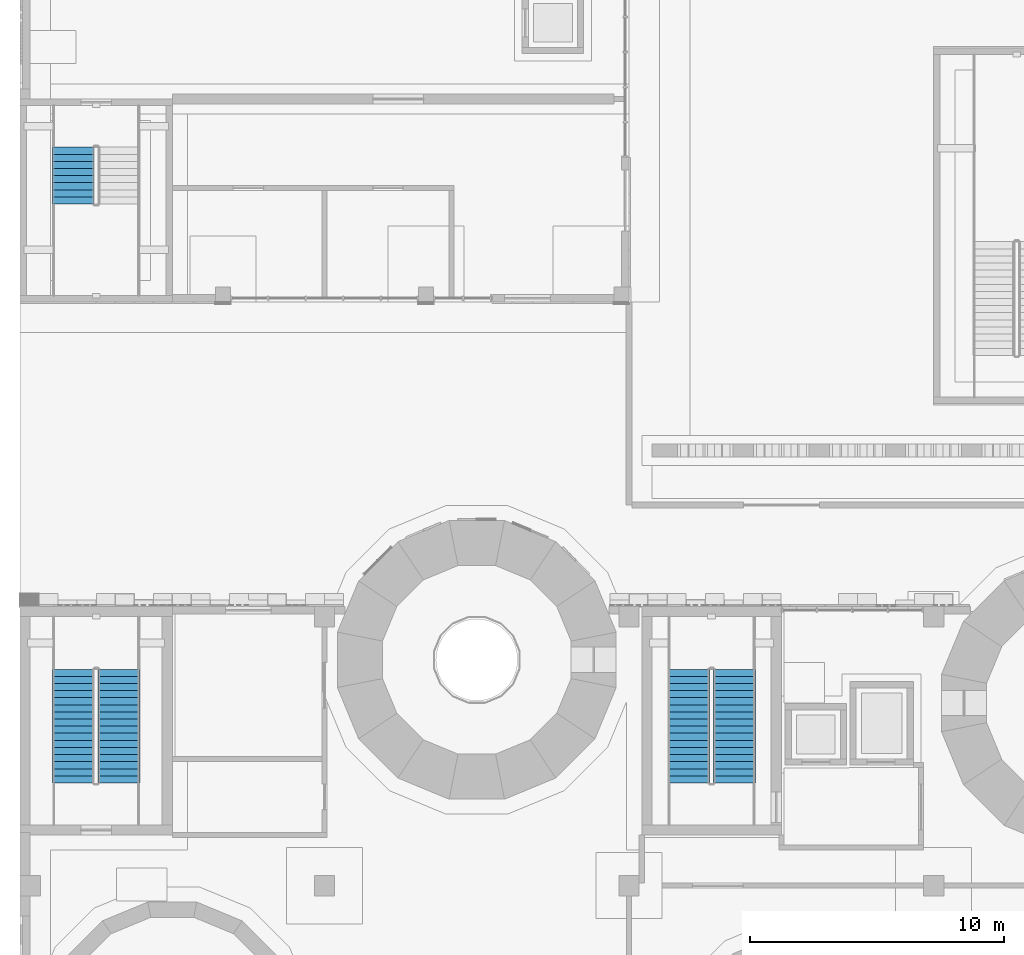
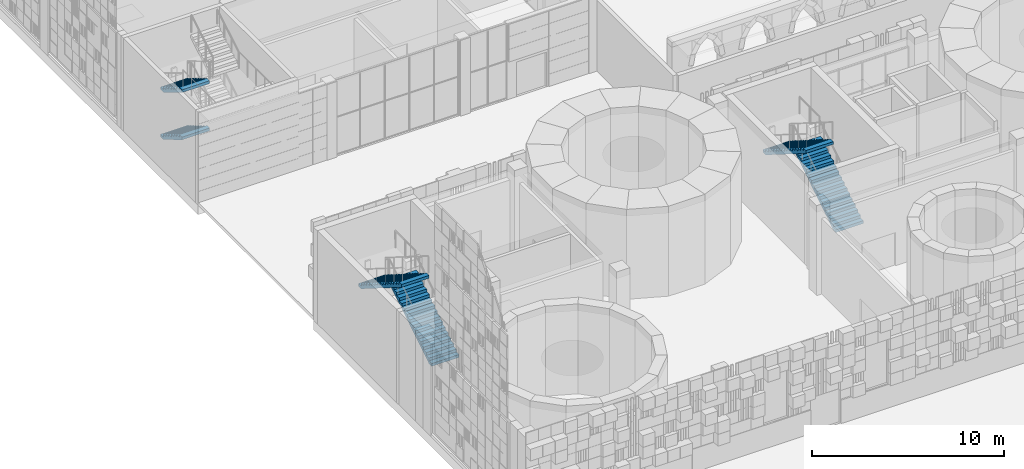
# One storey, part 60 of 125: 6 stair flights, 3 elements without a shape of their own.
"""IFC4 building model written with IfcOpenShell, lengths in metres."""

from ifc_helpers import new_model, si_unit, direction, frame, origin, place, context, subcontext, project, spatial, polyline, outline, extrude, material, type_object, element, aggregate, save


model = new_model("IFC4")

# Units and contexts
model_context = context("Model", 3, precision=1e-05, world=origin(), true_north=direction((0.0, 1.0)))
body_context = subcontext(model_context, "Body", "Model", "MODEL_VIEW")
ifc_project = project(units=[si_unit("LENGTHUNIT", "METRE"), si_unit("AREAUNIT", "SQUARE_METRE"), si_unit("VOLUMEUNIT", "CUBIC_METRE"), si_unit("PLANEANGLEUNIT", "RADIAN"), si_unit("MASSUNIT", "GRAM", prefix="KILO")], contexts=[model_context])

# Site, building, storey
site_placement = place(None, origin())
site = spatial("IfcSite", under=ifc_project, at=site_placement, CompositionType="ELEMENT")
building_placement = place(site_placement, origin())
building = spatial("IfcBuilding", under=site, at=building_placement, Name="Sun Court Science Centre", CompositionType="ELEMENT")
storey_placement = place(building_placement, origin())
storey = spatial("IfcBuildingStorey", under=building, at=storey_placement, Name="L00", CompositionType="ELEMENT", Elevation=0.0)

# Stair, stair flights
ifc_material_1 = material(Name="Concrete C25/30", Category="concrete")
stair_type = type_object("IfcStairType", Name="Stair 1500 enclosed half-turn", PredefinedType="HALF_TURN_STAIR", material=ifc_material_1)
stair_1_placement = place(storey_placement, origin())
stair_1 = element("IfcStair", 1, at=stair_1_placement, inside=storey, type_object=stair_type, Name="L00 Stair SB1", PredefinedType="HALF_TURN_STAIR")
ifc_material_2 = material(Name="Concrete C25/30", Category="concrete")
stair_flight_type = type_object("IfcStairFlightType", Name="Stair flight 1500 with waist", PredefinedType="STRAIGHT", material=ifc_material_2)
stair_flight_1_placement = place(storey_placement, frame((3.89892578125, 21.048095703125, 0.0), z_axis=(0.0, 0.0, 1.0), x_axis=(0.0, 1.0, 0.0)))
stair_flight_1 = element("IfcStairFlight", 2, at=stair_flight_1_placement, type_object=stair_flight_type, Name="SB1 flight 1", NumberOfRisers=17, NumberOfTreads=16, PredefinedType="STRAIGHT", RiserHeight=0.176470588, TreadLength=0.28, context=body_context, shape_type="SweptSolid", body=[
    extrude(outline(polyline([(0.0, 0.0), (0.0, 0.176513671875), (0.280029296875, 0.176513671875), (0.280029296875, 0.35302734375), (0.56005859375, 0.35302734375), (0.56005859375, 0.529296875), (0.840087890625, 0.529296875), (0.840087890625, 0.705810546875), (1.1201171875, 0.705810546875), (1.1201171875, 0.88232421875), (1.39990234375, 0.88232421875), (1.39990234375, 1.058837890625), (1.679931640625, 1.058837890625), (1.679931640625, 1.2353515625), (1.9599609375, 1.2353515625), (1.9599609375, 1.411865234375), (2.239990234375, 1.411865234375), (2.239990234375, 1.588134765625), (2.52001953125, 1.588134765625), (2.52001953125, 1.7646484375), (2.800048828125, 1.7646484375), (2.800048828125, 1.941162109375), (3.080078125, 1.941162109375), (3.080078125, 2.11767578125), (3.360107421875, 2.11767578125), (3.360107421875, 2.294189453125), (3.639892578125, 2.294189453125), (3.639892578125, 2.470703125), (3.919921875, 2.470703125), (3.919921875, 2.64697265625), (4.199951171875, 2.64697265625), (4.199951171875, 2.823486328125), (4.47998046875, 2.823486328125), (4.47998046875, 3.0), (4.47998046875, 2.646240234375), (0.28125, 0.0), (0.0, 0.0)])), frame((0.0, 0.823974609375, 0.0), z_axis=(0.0, -1.0, 0.0), x_axis=(1.0, 0.0, 0.0)), (0.0, 0.0, 1.0), 1.64794921875),
])
stair_flight_2_placement = place(storey_placement, frame((2.10107421875, 25.528076171875, 3.0), z_axis=(0.0, 0.0, 1.0), x_axis=(0.0, -1.0, 0.0)))
stair_flight_2 = element("IfcStairFlight", 3, at=stair_flight_2_placement, type_object=stair_flight_type, Name="SB1 flight 2", NumberOfRisers=17, NumberOfTreads=16, PredefinedType="STRAIGHT", RiserHeight=0.176470588, TreadLength=0.28, context=body_context, shape_type="SweptSolid", body=[
    extrude(outline(polyline([(0.0, 0.0), (0.0, 0.176513671875), (0.280029296875, 0.176513671875), (0.280029296875, 0.35302734375), (0.56005859375, 0.35302734375), (0.56005859375, 0.529296875), (0.840087890625, 0.529296875), (0.840087890625, 0.705810546875), (1.1201171875, 0.705810546875), (1.1201171875, 0.88232421875), (1.39990234375, 0.88232421875), (1.39990234375, 1.058837890625), (1.679931640625, 1.058837890625), (1.679931640625, 1.2353515625), (1.9599609375, 1.2353515625), (1.9599609375, 1.411865234375), (2.239990234375, 1.411865234375), (2.239990234375, 1.588134765625), (2.52001953125, 1.588134765625), (2.52001953125, 1.7646484375), (2.800048828125, 1.7646484375), (2.800048828125, 1.941162109375), (3.080078125, 1.941162109375), (3.080078125, 2.11767578125), (3.360107421875, 2.11767578125), (3.360107421875, 2.294189453125), (3.639892578125, 2.294189453125), (3.639892578125, 2.470703125), (3.919921875, 2.470703125), (3.919921875, 2.64697265625), (4.199951171875, 2.64697265625), (4.199951171875, 2.823486328125), (4.47998046875, 2.823486328125), (4.47998046875, 3.0), (4.47998046875, 2.646240234375), (0.28125, 0.0), (0.0, 0.0)])), frame((0.0, 0.823974609375, 0.0), z_axis=(0.0, -1.0, 0.0), x_axis=(1.0, 0.0, 0.0)), (0.0, 0.0, 1.0), 1.64794921875),
])
aggregate(stair_1, [stair_flight_1, stair_flight_2])

stair_2_placement = place(storey_placement, origin())
stair_2 = element("IfcStair", 4, at=stair_2_placement, inside=storey, type_object=stair_type, Name="L00 Stair SB2", PredefinedType="HALF_TURN_STAIR")
stair_flight_3_placement = place(storey_placement, frame((28.14892578125, 21.048095703125, 0.0), z_axis=(0.0, 0.0, 1.0), x_axis=(0.0, 1.0, 0.0)))
stair_flight_3 = element("IfcStairFlight", 5, at=stair_flight_3_placement, type_object=stair_flight_type, Name="SB2 flight 1", NumberOfRisers=17, NumberOfTreads=16, PredefinedType="STRAIGHT", RiserHeight=0.176470588, TreadLength=0.28, context=body_context, shape_type="SweptSolid", body=[
    extrude(outline(polyline([(0.0, 0.0), (0.0, 0.176513671875), (0.280029296875, 0.176513671875), (0.280029296875, 0.35302734375), (0.56005859375, 0.35302734375), (0.56005859375, 0.529296875), (0.840087890625, 0.529296875), (0.840087890625, 0.705810546875), (1.1201171875, 0.705810546875), (1.1201171875, 0.88232421875), (1.39990234375, 0.88232421875), (1.39990234375, 1.058837890625), (1.679931640625, 1.058837890625), (1.679931640625, 1.2353515625), (1.9599609375, 1.2353515625), (1.9599609375, 1.411865234375), (2.239990234375, 1.411865234375), (2.239990234375, 1.588134765625), (2.52001953125, 1.588134765625), (2.52001953125, 1.7646484375), (2.800048828125, 1.7646484375), (2.800048828125, 1.941162109375), (3.080078125, 1.941162109375), (3.080078125, 2.11767578125), (3.360107421875, 2.11767578125), (3.360107421875, 2.294189453125), (3.639892578125, 2.294189453125), (3.639892578125, 2.470703125), (3.919921875, 2.470703125), (3.919921875, 2.64697265625), (4.199951171875, 2.64697265625), (4.199951171875, 2.823486328125), (4.47998046875, 2.823486328125), (4.47998046875, 3.0), (4.47998046875, 2.646240234375), (0.28125, 0.0), (0.0, 0.0)])), frame((0.0, 0.823974609375, 0.0), z_axis=(0.0, -1.0, 0.0), x_axis=(1.0, 0.0, 0.0)), (0.0, 0.0, 1.0), 1.64794921875),
])
stair_flight_4_placement = place(storey_placement, frame((26.35107421875, 25.528076171875, 3.0), z_axis=(0.0, 0.0, 1.0), x_axis=(0.0, -1.0, 0.0)))
stair_flight_4 = element("IfcStairFlight", 6, at=stair_flight_4_placement, type_object=stair_flight_type, Name="SB2 flight 2", NumberOfRisers=17, NumberOfTreads=16, PredefinedType="STRAIGHT", RiserHeight=0.176470588, TreadLength=0.28, context=body_context, shape_type="SweptSolid", body=[
    extrude(outline(polyline([(0.0, 0.0), (0.0, 0.176513671875), (0.280029296875, 0.176513671875), (0.280029296875, 0.35302734375), (0.56005859375, 0.35302734375), (0.56005859375, 0.529296875), (0.840087890625, 0.529296875), (0.840087890625, 0.705810546875), (1.1201171875, 0.705810546875), (1.1201171875, 0.88232421875), (1.39990234375, 0.88232421875), (1.39990234375, 1.058837890625), (1.679931640625, 1.058837890625), (1.679931640625, 1.2353515625), (1.9599609375, 1.2353515625), (1.9599609375, 1.411865234375), (2.239990234375, 1.411865234375), (2.239990234375, 1.588134765625), (2.52001953125, 1.588134765625), (2.52001953125, 1.7646484375), (2.800048828125, 1.7646484375), (2.800048828125, 1.941162109375), (3.080078125, 1.941162109375), (3.080078125, 2.11767578125), (3.360107421875, 2.11767578125), (3.360107421875, 2.294189453125), (3.639892578125, 2.294189453125), (3.639892578125, 2.470703125), (3.919921875, 2.470703125), (3.919921875, 2.64697265625), (4.199951171875, 2.64697265625), (4.199951171875, 2.823486328125), (4.47998046875, 2.823486328125), (4.47998046875, 3.0), (4.47998046875, 2.646240234375), (0.28125, 0.0), (0.0, 0.0)])), frame((0.0, 0.823974609375, 0.0), z_axis=(0.0, -1.0, 0.0), x_axis=(1.0, 0.0, 0.0)), (0.0, 0.0, 1.0), 1.64794921875),
])
aggregate(stair_2, [stair_flight_3, stair_flight_4])

stair_3_placement = place(storey_placement, origin())
stair_3 = element("IfcStair", 7, at=stair_3_placement, inside=storey, type_object=stair_type, Name="L00 Stair ST1", PredefinedType="HALF_TURN_STAIR")
stair_flight_5_placement = place(storey_placement, frame((2.10107421875, 46.10205078125, 0.0), z_axis=(0.0, 0.0, 1.0), x_axis=(0.0, -1.0, 0.0)))
stair_flight_5 = element("IfcStairFlight", 8, at=stair_flight_5_placement, type_object=stair_flight_type, Name="ST1 flight 1", NumberOfRisers=9, NumberOfTreads=8, PredefinedType="STRAIGHT", RiserHeight=0.166666667, TreadLength=0.28, context=body_context, shape_type="SweptSolid", body=[
    extrude(outline(polyline([(0.0, 0.0), (0.0, 0.00244140625), (0.0, 0.0048828125), (0.0, 0.00732421875), (0.0, 0.009765625), (0.0, 0.01220703125), (0.0, 0.0146484375), (0.0, 0.01708984375), (0.0, 0.01953125), (0.0, 0.02197265625), (0.0, 0.0244140625), (0.0, 0.02685546875), (0.0, 0.029296875), (0.0, 0.03173828125), (0.0, 0.0341796875), (0.0, 0.03662109375), (0.0, 0.0390625), (0.0, 0.04150390625), (0.0, 0.0439453125), (0.0, 0.04638671875), (0.0, 0.048828125), (0.0, 0.05126953125), (0.0, 0.0537109375), (0.0, 0.05615234375), (0.0, 0.05859375), (0.0, 0.06103515625), (0.0, 0.0634765625), (0.0, 0.06591796875), (0.0, 0.068359375), (0.0, 0.07080078125), (0.0, 0.0732421875), (0.0, 0.07568359375), (0.0, 0.078125), (0.0, 0.08056640625), (0.0, 0.0830078125), (0.0, 0.08544921875), (0.0, 0.087890625), (0.0, 0.09033203125), (0.0, 0.0927734375), (0.0, 0.09521484375), (0.0, 0.09765625), (0.0, 0.10009765625), (0.0, 0.1025390625), (0.0, 0.10498046875), (0.0, 0.107421875), (0.0, 0.10986328125), (0.0, 0.1123046875), (0.0, 0.11474609375), (0.0, 0.1171875), (0.0, 0.11962890625), (0.0, 0.1220703125), (0.0, 0.12451171875), (0.0, 0.126953125), (0.0, 0.12939453125), (0.0, 0.1318359375), (0.0, 0.13427734375), (0.0, 0.13671875), (0.0, 0.13916015625), (0.0, 0.1416015625), (0.0, 0.14404296875), (0.0, 0.146484375), (0.0, 0.14892578125), (0.0, 0.1513671875), (0.0, 0.15380859375), (0.0, 0.15625), (0.0, 0.15869140625), (0.0, 0.1611328125), (0.0, 0.16357421875), (0.0, 0.166748046875), (0.280029296875, 0.166748046875), (0.280029296875, 0.333251953125), (0.56005859375, 0.333251953125), (0.56005859375, 0.5), (0.840087890625, 0.5), (0.840087890625, 0.666748046875), (1.1201171875, 0.666748046875), (1.1201171875, 0.833251953125), (1.39990234375, 0.833251953125), (1.39990234375, 1.0), (1.679931640625, 1.0), (1.679931640625, 1.166748046875), (1.9599609375, 1.166748046875), (1.9599609375, 1.333251953125), (2.239990234375, 1.333251953125), (2.239990234375, 1.335693359375), (2.239990234375, 1.338134765625), (2.239990234375, 1.340576171875), (2.239990234375, 1.343017578125), (2.239990234375, 1.345458984375), (2.239990234375, 1.347900390625), (2.239990234375, 1.350341796875), (2.239990234375, 1.352783203125), (2.239990234375, 1.355224609375), (2.239990234375, 1.357666015625), (2.239990234375, 1.360107421875), (2.239990234375, 1.362548828125), (2.239990234375, 1.364990234375), (2.239990234375, 1.367431640625), (2.239990234375, 1.369873046875), (2.239990234375, 1.372314453125), (2.239990234375, 1.374755859375), (2.239990234375, 1.377197265625), (2.239990234375, 1.379638671875), (2.239990234375, 1.382080078125), (2.239990234375, 1.384521484375), (2.239990234375, 1.386962890625), (2.239990234375, 1.389404296875), (2.239990234375, 1.391845703125), (2.239990234375, 1.394287109375), (2.239990234375, 1.396728515625), (2.239990234375, 1.399169921875), (2.239990234375, 1.401611328125), (2.239990234375, 1.404052734375), (2.239990234375, 1.406494140625), (2.239990234375, 1.408935546875), (2.239990234375, 1.411376953125), (2.239990234375, 1.413818359375), (2.239990234375, 1.416259765625), (2.239990234375, 1.418701171875), (2.239990234375, 1.421142578125), (2.239990234375, 1.423583984375), (2.239990234375, 1.426025390625), (2.239990234375, 1.428466796875), (2.239990234375, 1.430908203125), (2.239990234375, 1.433349609375), (2.239990234375, 1.435791015625), (2.239990234375, 1.438232421875), (2.239990234375, 1.440673828125), (2.239990234375, 1.443115234375), (2.239990234375, 1.445556640625), (2.239990234375, 1.447998046875), (2.239990234375, 1.450439453125), (2.239990234375, 1.452880859375), (2.239990234375, 1.455322265625), (2.239990234375, 1.457763671875), (2.239990234375, 1.460205078125), (2.239990234375, 1.462646484375), (2.239990234375, 1.465087890625), (2.239990234375, 1.467529296875), (2.239990234375, 1.469970703125), (2.239990234375, 1.472412109375), (2.239990234375, 1.474853515625), (2.239990234375, 1.477294921875), (2.239990234375, 1.479736328125), (2.239990234375, 1.482177734375), (2.239990234375, 1.484619140625), (2.239990234375, 1.487060546875), (2.239990234375, 1.489501953125), (2.239990234375, 1.491943359375), (2.239990234375, 1.494384765625), (2.239990234375, 1.496826171875), (2.239990234375, 1.5), (2.239990234375, 1.49755859375), (2.239990234375, 1.4951171875), (2.239990234375, 1.49267578125), (2.239990234375, 1.490234375), (2.239990234375, 1.48779296875), (2.239990234375, 1.4853515625), (2.239990234375, 1.48291015625), (2.239990234375, 1.48046875), (2.239990234375, 1.47802734375), (2.239990234375, 1.4755859375), (2.239990234375, 1.47314453125), (2.239990234375, 1.470703125), (2.239990234375, 1.46826171875), (2.239990234375, 1.4658203125), (2.239990234375, 1.46337890625), (2.239990234375, 1.4609375), (2.239990234375, 1.45849609375), (2.239990234375, 1.4560546875), (2.239990234375, 1.45361328125), (2.239990234375, 1.451171875), (2.239990234375, 1.44873046875), (2.239990234375, 1.4462890625), (2.239990234375, 1.44384765625), (2.239990234375, 1.44140625), (2.239990234375, 1.43896484375), (2.239990234375, 1.4365234375), (2.239990234375, 1.43408203125), (2.239990234375, 1.431640625), (2.239990234375, 1.42919921875), (2.239990234375, 1.4267578125), (2.239990234375, 1.42431640625), (2.239990234375, 1.421875), (2.239990234375, 1.41943359375), (2.239990234375, 1.4169921875), (2.239990234375, 1.41455078125), (2.239990234375, 1.412109375), (2.239990234375, 1.40966796875), (2.239990234375, 1.4072265625), (2.239990234375, 1.40478515625), (2.239990234375, 1.40234375), (2.239990234375, 1.39990234375), (2.239990234375, 1.3974609375), (2.239990234375, 1.39501953125), (2.239990234375, 1.392578125), (2.239990234375, 1.39013671875), (2.239990234375, 1.3876953125), (2.239990234375, 1.38525390625), (2.239990234375, 1.3828125), (2.239990234375, 1.38037109375), (2.239990234375, 1.3779296875), (2.239990234375, 1.37548828125), (2.239990234375, 1.373046875), (2.239990234375, 1.37060546875), (2.239990234375, 1.3681640625), (2.239990234375, 1.36572265625), (2.239990234375, 1.36328125), (2.239990234375, 1.36083984375), (2.239990234375, 1.3583984375), (2.239990234375, 1.35595703125), (2.239990234375, 1.353515625), (2.239990234375, 1.35107421875), (2.239990234375, 1.3486328125), (2.239990234375, 1.34619140625), (2.239990234375, 1.34375), (2.239990234375, 1.34130859375), (2.239990234375, 1.3388671875), (2.239990234375, 1.33642578125), (2.239990234375, 1.333984375), (2.239990234375, 1.33154296875), (2.239990234375, 1.3291015625), (2.239990234375, 1.32666015625), (2.239990234375, 1.32421875), (2.239990234375, 1.32177734375), (2.239990234375, 1.3193359375), (2.239990234375, 1.31689453125), (2.239990234375, 1.314453125), (2.239990234375, 1.31201171875), (2.239990234375, 1.3095703125), (2.239990234375, 1.30712890625), (2.239990234375, 1.3046875), (2.239990234375, 1.30224609375), (2.239990234375, 1.2998046875), (2.239990234375, 1.29736328125), (2.239990234375, 1.294921875), (2.239990234375, 1.29248046875), (2.239990234375, 1.2900390625), (2.239990234375, 1.28759765625), (2.239990234375, 1.28515625), (2.239990234375, 1.28271484375), (2.239990234375, 1.2802734375), (2.239990234375, 1.27783203125), (2.239990234375, 1.275390625), (2.239990234375, 1.27294921875), (2.239990234375, 1.2705078125), (2.239990234375, 1.26806640625), (2.239990234375, 1.265625), (2.239990234375, 1.26318359375), (2.239990234375, 1.2607421875), (2.239990234375, 1.25830078125), (2.239990234375, 1.255859375), (2.239990234375, 1.25341796875), (2.239990234375, 1.2509765625), (2.239990234375, 1.24853515625), (2.239990234375, 1.24609375), (2.239990234375, 1.24365234375), (2.239990234375, 1.2412109375), (2.239990234375, 1.23876953125), (2.239990234375, 1.236328125), (2.239990234375, 1.23388671875), (2.239990234375, 1.2314453125), (2.239990234375, 1.22900390625), (2.239990234375, 1.2265625), (2.239990234375, 1.22412109375), (2.239990234375, 1.2216796875), (2.239990234375, 1.21923828125), (2.239990234375, 1.216796875), (2.239990234375, 1.21435546875), (2.239990234375, 1.2119140625), (2.239990234375, 1.20947265625), (2.239990234375, 1.20703125), (2.239990234375, 1.20458984375), (2.239990234375, 1.2021484375), (2.239990234375, 1.19970703125), (2.239990234375, 1.197265625), (2.239990234375, 1.19482421875), (2.239990234375, 1.1923828125), (2.239990234375, 1.18994140625), (2.239990234375, 1.1875), (2.239990234375, 1.18505859375), (2.239990234375, 1.1826171875), (2.239990234375, 1.18017578125), (2.239990234375, 1.177734375), (2.239990234375, 1.17529296875), (2.239990234375, 1.1728515625), (2.239990234375, 1.17041015625), (2.239990234375, 1.16796875), (2.239990234375, 1.16552734375), (2.239990234375, 1.1630859375), (2.239990234375, 1.158935546875), (0.29296875, 0.0), (0.0, 0.0)])), frame((0.0, 0.823974609375, 0.0), z_axis=(0.0, -1.0, 0.0), x_axis=(1.0, 0.0, 0.0)), (0.0, 0.0, 1.0), 1.64794921875),
])
stair_flight_6_placement = place(storey_placement, frame((2.10107421875, 46.10205078125, 3.0), z_axis=(0.0, 0.0, 1.0), x_axis=(0.0, -1.0, 0.0)))
stair_flight_6 = element("IfcStairFlight", 9, at=stair_flight_6_placement, type_object=stair_flight_type, Name="ST1 flight 3", NumberOfRisers=9, NumberOfTreads=8, PredefinedType="STRAIGHT", RiserHeight=0.166666667, TreadLength=0.28, context=body_context, shape_type="SweptSolid", body=[
    extrude(outline(polyline([(0.0, 0.0), (0.0, 0.00244140625), (0.0, 0.0048828125), (0.0, 0.00732421875), (0.0, 0.009765625), (0.0, 0.01220703125), (0.0, 0.0146484375), (0.0, 0.01708984375), (0.0, 0.01953125), (0.0, 0.02197265625), (0.0, 0.0244140625), (0.0, 0.02685546875), (0.0, 0.029296875), (0.0, 0.03173828125), (0.0, 0.0341796875), (0.0, 0.03662109375), (0.0, 0.0390625), (0.0, 0.04150390625), (0.0, 0.0439453125), (0.0, 0.04638671875), (0.0, 0.048828125), (0.0, 0.05126953125), (0.0, 0.0537109375), (0.0, 0.05615234375), (0.0, 0.05859375), (0.0, 0.06103515625), (0.0, 0.0634765625), (0.0, 0.06591796875), (0.0, 0.068359375), (0.0, 0.07080078125), (0.0, 0.0732421875), (0.0, 0.07568359375), (0.0, 0.078125), (0.0, 0.08056640625), (0.0, 0.0830078125), (0.0, 0.08544921875), (0.0, 0.087890625), (0.0, 0.09033203125), (0.0, 0.0927734375), (0.0, 0.09521484375), (0.0, 0.09765625), (0.0, 0.10009765625), (0.0, 0.1025390625), (0.0, 0.10498046875), (0.0, 0.107421875), (0.0, 0.10986328125), (0.0, 0.1123046875), (0.0, 0.11474609375), (0.0, 0.1171875), (0.0, 0.11962890625), (0.0, 0.1220703125), (0.0, 0.12451171875), (0.0, 0.126953125), (0.0, 0.12939453125), (0.0, 0.1318359375), (0.0, 0.13427734375), (0.0, 0.13671875), (0.0, 0.13916015625), (0.0, 0.1416015625), (0.0, 0.14404296875), (0.0, 0.146484375), (0.0, 0.14892578125), (0.0, 0.1513671875), (0.0, 0.15380859375), (0.0, 0.15625), (0.0, 0.15869140625), (0.0, 0.1611328125), (0.0, 0.16357421875), (0.0, 0.166748046875), (0.280029296875, 0.166748046875), (0.280029296875, 0.333251953125), (0.56005859375, 0.333251953125), (0.56005859375, 0.5), (0.840087890625, 0.5), (0.840087890625, 0.666748046875), (1.1201171875, 0.666748046875), (1.1201171875, 0.833251953125), (1.39990234375, 0.833251953125), (1.39990234375, 1.0), (1.679931640625, 1.0), (1.679931640625, 1.166748046875), (1.9599609375, 1.166748046875), (1.9599609375, 1.333251953125), (2.239990234375, 1.333251953125), (2.239990234375, 1.335693359375), (2.239990234375, 1.338134765625), (2.239990234375, 1.340576171875), (2.239990234375, 1.343017578125), (2.239990234375, 1.345458984375), (2.239990234375, 1.347900390625), (2.239990234375, 1.350341796875), (2.239990234375, 1.352783203125), (2.239990234375, 1.355224609375), (2.239990234375, 1.357666015625), (2.239990234375, 1.360107421875), (2.239990234375, 1.362548828125), (2.239990234375, 1.364990234375), (2.239990234375, 1.367431640625), (2.239990234375, 1.369873046875), (2.239990234375, 1.372314453125), (2.239990234375, 1.374755859375), (2.239990234375, 1.377197265625), (2.239990234375, 1.379638671875), (2.239990234375, 1.382080078125), (2.239990234375, 1.384521484375), (2.239990234375, 1.386962890625), (2.239990234375, 1.389404296875), (2.239990234375, 1.391845703125), (2.239990234375, 1.394287109375), (2.239990234375, 1.396728515625), (2.239990234375, 1.399169921875), (2.239990234375, 1.401611328125), (2.239990234375, 1.404052734375), (2.239990234375, 1.406494140625), (2.239990234375, 1.408935546875), (2.239990234375, 1.411376953125), (2.239990234375, 1.413818359375), (2.239990234375, 1.416259765625), (2.239990234375, 1.418701171875), (2.239990234375, 1.421142578125), (2.239990234375, 1.423583984375), (2.239990234375, 1.426025390625), (2.239990234375, 1.428466796875), (2.239990234375, 1.430908203125), (2.239990234375, 1.433349609375), (2.239990234375, 1.435791015625), (2.239990234375, 1.438232421875), (2.239990234375, 1.440673828125), (2.239990234375, 1.443115234375), (2.239990234375, 1.445556640625), (2.239990234375, 1.447998046875), (2.239990234375, 1.450439453125), (2.239990234375, 1.452880859375), (2.239990234375, 1.455322265625), (2.239990234375, 1.457763671875), (2.239990234375, 1.460205078125), (2.239990234375, 1.462646484375), (2.239990234375, 1.465087890625), (2.239990234375, 1.467529296875), (2.239990234375, 1.469970703125), (2.239990234375, 1.472412109375), (2.239990234375, 1.474853515625), (2.239990234375, 1.477294921875), (2.239990234375, 1.479736328125), (2.239990234375, 1.482177734375), (2.239990234375, 1.484619140625), (2.239990234375, 1.487060546875), (2.239990234375, 1.489501953125), (2.239990234375, 1.491943359375), (2.239990234375, 1.494384765625), (2.239990234375, 1.496826171875), (2.239990234375, 1.5), (2.239990234375, 1.49755859375), (2.239990234375, 1.4951171875), (2.239990234375, 1.49267578125), (2.239990234375, 1.490234375), (2.239990234375, 1.48779296875), (2.239990234375, 1.4853515625), (2.239990234375, 1.48291015625), (2.239990234375, 1.48046875), (2.239990234375, 1.47802734375), (2.239990234375, 1.4755859375), (2.239990234375, 1.47314453125), (2.239990234375, 1.470703125), (2.239990234375, 1.46826171875), (2.239990234375, 1.4658203125), (2.239990234375, 1.46337890625), (2.239990234375, 1.4609375), (2.239990234375, 1.45849609375), (2.239990234375, 1.4560546875), (2.239990234375, 1.45361328125), (2.239990234375, 1.451171875), (2.239990234375, 1.44873046875), (2.239990234375, 1.4462890625), (2.239990234375, 1.44384765625), (2.239990234375, 1.44140625), (2.239990234375, 1.43896484375), (2.239990234375, 1.4365234375), (2.239990234375, 1.43408203125), (2.239990234375, 1.431640625), (2.239990234375, 1.42919921875), (2.239990234375, 1.4267578125), (2.239990234375, 1.42431640625), (2.239990234375, 1.421875), (2.239990234375, 1.41943359375), (2.239990234375, 1.4169921875), (2.239990234375, 1.41455078125), (2.239990234375, 1.412109375), (2.239990234375, 1.40966796875), (2.239990234375, 1.4072265625), (2.239990234375, 1.40478515625), (2.239990234375, 1.40234375), (2.239990234375, 1.39990234375), (2.239990234375, 1.3974609375), (2.239990234375, 1.39501953125), (2.239990234375, 1.392578125), (2.239990234375, 1.39013671875), (2.239990234375, 1.3876953125), (2.239990234375, 1.38525390625), (2.239990234375, 1.3828125), (2.239990234375, 1.38037109375), (2.239990234375, 1.3779296875), (2.239990234375, 1.37548828125), (2.239990234375, 1.373046875), (2.239990234375, 1.37060546875), (2.239990234375, 1.3681640625), (2.239990234375, 1.36572265625), (2.239990234375, 1.36328125), (2.239990234375, 1.36083984375), (2.239990234375, 1.3583984375), (2.239990234375, 1.35595703125), (2.239990234375, 1.353515625), (2.239990234375, 1.35107421875), (2.239990234375, 1.3486328125), (2.239990234375, 1.34619140625), (2.239990234375, 1.34375), (2.239990234375, 1.34130859375), (2.239990234375, 1.3388671875), (2.239990234375, 1.33642578125), (2.239990234375, 1.333984375), (2.239990234375, 1.33154296875), (2.239990234375, 1.3291015625), (2.239990234375, 1.32666015625), (2.239990234375, 1.32421875), (2.239990234375, 1.32177734375), (2.239990234375, 1.3193359375), (2.239990234375, 1.31689453125), (2.239990234375, 1.314453125), (2.239990234375, 1.31201171875), (2.239990234375, 1.3095703125), (2.239990234375, 1.30712890625), (2.239990234375, 1.3046875), (2.239990234375, 1.30224609375), (2.239990234375, 1.2998046875), (2.239990234375, 1.29736328125), (2.239990234375, 1.294921875), (2.239990234375, 1.29248046875), (2.239990234375, 1.2900390625), (2.239990234375, 1.28759765625), (2.239990234375, 1.28515625), (2.239990234375, 1.28271484375), (2.239990234375, 1.2802734375), (2.239990234375, 1.27783203125), (2.239990234375, 1.275390625), (2.239990234375, 1.27294921875), (2.239990234375, 1.2705078125), (2.239990234375, 1.26806640625), (2.239990234375, 1.265625), (2.239990234375, 1.26318359375), (2.239990234375, 1.2607421875), (2.239990234375, 1.25830078125), (2.239990234375, 1.255859375), (2.239990234375, 1.25341796875), (2.239990234375, 1.2509765625), (2.239990234375, 1.24853515625), (2.239990234375, 1.24609375), (2.239990234375, 1.24365234375), (2.239990234375, 1.2412109375), (2.239990234375, 1.23876953125), (2.239990234375, 1.236328125), (2.239990234375, 1.23388671875), (2.239990234375, 1.2314453125), (2.239990234375, 1.22900390625), (2.239990234375, 1.2265625), (2.239990234375, 1.22412109375), (2.239990234375, 1.2216796875), (2.239990234375, 1.21923828125), (2.239990234375, 1.216796875), (2.239990234375, 1.21435546875), (2.239990234375, 1.2119140625), (2.239990234375, 1.20947265625), (2.239990234375, 1.20703125), (2.239990234375, 1.20458984375), (2.239990234375, 1.2021484375), (2.239990234375, 1.19970703125), (2.239990234375, 1.197265625), (2.239990234375, 1.19482421875), (2.239990234375, 1.1923828125), (2.239990234375, 1.18994140625), (2.239990234375, 1.1875), (2.239990234375, 1.18505859375), (2.239990234375, 1.1826171875), (2.239990234375, 1.18017578125), (2.239990234375, 1.177734375), (2.239990234375, 1.17529296875), (2.239990234375, 1.1728515625), (2.239990234375, 1.17041015625), (2.239990234375, 1.16796875), (2.239990234375, 1.16552734375), (2.239990234375, 1.1630859375), (2.239990234375, 1.158935546875), (0.29296875, 0.0), (0.0, 0.0)])), frame((0.0, 0.823974609375, 0.0), z_axis=(0.0, -1.0, 0.0), x_axis=(1.0, 0.0, 0.0)), (0.0, 0.0, 1.0), 1.64794921875),
])
aggregate(stair_3, [stair_flight_5, stair_flight_6])

save(model, "model.ifc")
